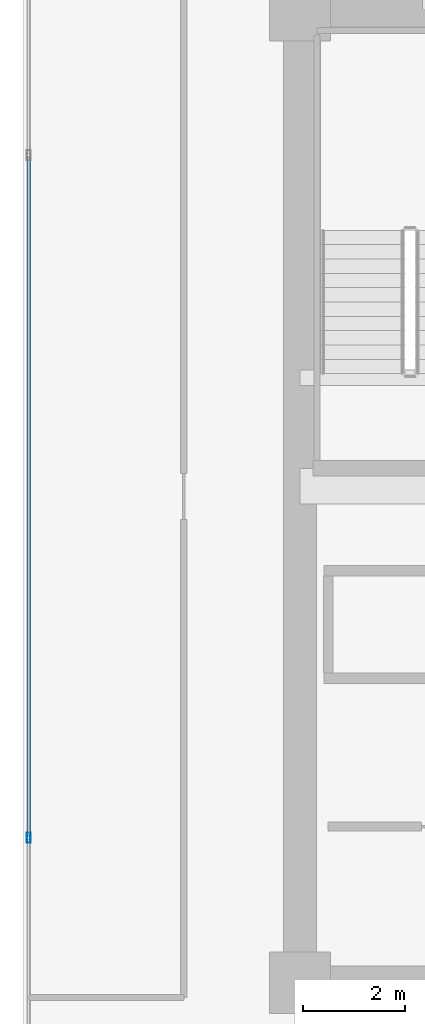
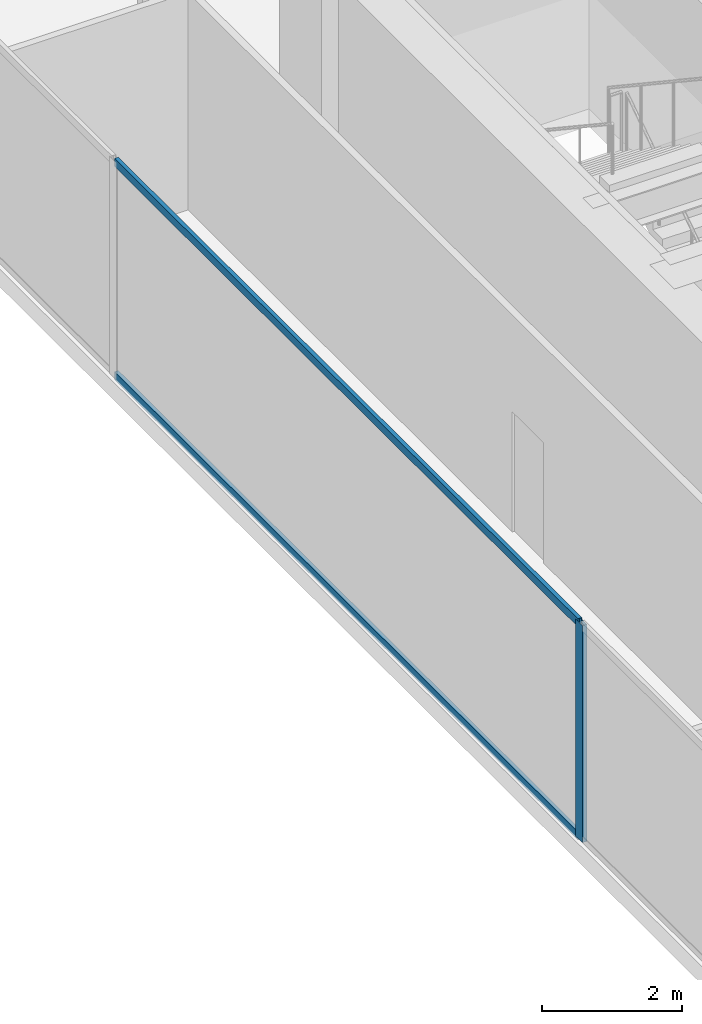
# One storey, part 6 of 30: 3 members, 1 element without a shape of its own.
"""IFC4 building model written with IfcOpenShell, lengths in metres."""

from ifc_helpers import new_model, si_unit, direction, frame, origin, origin_2d, place, context, subcontext, project, spatial, hollow_rectangle, extrude, source, transform, mapped, material, layer, layer_set, material_profile, profile_set, type_object, type_shapes, element, aggregate, save


model = new_model("IFC4")

# Units and contexts
model_context = context("Model", 3, precision=1e-05, world=origin(), true_north=direction((0.0, 1.0)))
body_context = subcontext(model_context, "Body", "Model", "MODEL_VIEW")
ifc_project = project(units=[si_unit("LENGTHUNIT", "METRE"), si_unit("AREAUNIT", "SQUARE_METRE"), si_unit("VOLUMEUNIT", "CUBIC_METRE"), si_unit("PLANEANGLEUNIT", "RADIAN"), si_unit("MASSUNIT", "GRAM", prefix="KILO")], contexts=[model_context])

# Site, building, storey
site_placement = place(None, origin())
site = spatial("IfcSite", under=ifc_project, at=site_placement, CompositionType="ELEMENT")
building_placement = place(site_placement, origin())
building = spatial("IfcBuilding", under=site, at=building_placement, Name="Haelvirn Gate Laboratories", CompositionType="ELEMENT")
storey_placement = place(building_placement, frame((0.0, 0.0, 121.5)))
storey = spatial("IfcBuildingStorey", under=building, at=storey_placement, Name="L29", CompositionType="ELEMENT", Elevation=121.5)

# Curtain wall, members
ifc_material_1 = material(Name="Anodised bronze unitised aluminium & triple low-E glass", Category="aluminium")
ifc_layer = layer(ifc_material_1, 0.179931640625, Name="CW-SYS-3")
ifc_layer_set = layer_set([ifc_layer], Name="Anodised bronze unitised aluminium & triple low-E glass")
curtain_wall_type = type_object("IfcCurtainWallType", Name="CW-SYS-3", PredefinedType="NOTDEFINED", material=ifc_layer_set)
curtain_wall_placement = place(storey_placement, origin())
curtain_wall = element("IfcCurtainWall", 1, at=curtain_wall_placement, inside=storey, type_object=curtain_wall_type, Name="L29 Unitised Curtain Wall CW-L29-P0-E17", PredefinedType="NOTDEFINED")
ifc_material_2 = material(Name="Extruded aluminium 6063-T6 (anodised bronze)", Category="aluminium")
ifc_material_profile_1 = material_profile(ifc_material_2, hollow_rectangle(XDim=0.06494140625, YDim=0.139892578125, WallThickness=0.00390625, at=origin_2d()), Name="CWT-140x65x4")
ifc_profile_set_1 = profile_set([ifc_material_profile_1], Name="Extruded aluminium 6063-T6 (anodised bronze)")
member_type_1 = type_object("IfcMemberType", Name="CWT-T140", PredefinedType="USERDEFINED", material=ifc_profile_set_1)
shared_shape_1 = source(origin(), body_context, "Body", "SweptSolid", [
    extrude(hollow_rectangle(XDim=0.06494140625, YDim=0.139892578125, WallThickness=0.00390625, at=origin_2d()), origin(), (0.0, 0.0, 1.0), 13.25830078125),
])
type_shapes(member_type_1, [shared_shape_1])
member_1_placement = place(storey_placement, frame((2.10009765625, 30.92919921875, 0.032470703125), z_axis=(0.0, -1.0, 0.0), x_axis=(1.0, 0.0, 0.0)))
member_1 = element("IfcMember", 2, at=member_1_placement, type_object=member_type_1, Name="CW3 transom 2.1", ObjectType="TRANSOM", PredefinedType="USERDEFINED", context=body_context, shape_type="MappedRepresentation", body=[
    mapped(shared_shape_1, transform((0.0, 0.0, 0.0), scale=1.0)),
])
member_2_placement = place(storey_placement, frame((2.10009765625, 30.92919921875, 3.757568359375), z_axis=(0.0, -1.0, 0.0), x_axis=(1.0, 0.0, 0.0)))
member_2 = element("IfcMember", 3, at=member_2_placement, type_object=member_type_1, Name="CW3 transom 2.2", ObjectType="TRANSOM", PredefinedType="USERDEFINED", context=body_context, shape_type="MappedRepresentation", body=[
    mapped(shared_shape_1, transform((0.0, 0.0, 0.0), scale=1.0)),
])
ifc_material_profile_2 = material_profile(ifc_material_2, hollow_rectangle(XDim=0.074951171875, YDim=0.199951171875, WallThickness=0.0048828125, at=origin_2d()), Name="CWM-200x75x5")
ifc_profile_set_2 = profile_set([ifc_material_profile_2], Name="Extruded aluminium 6063-T6 (anodised bronze)")
member_type_2 = type_object("IfcMemberType", Name="CWM-T200", PredefinedType="MULLION", material=ifc_profile_set_2)
shared_shape_2 = source(origin(), body_context, "Body", "SweptSolid", [
    extrude(hollow_rectangle(XDim=0.074951171875, YDim=0.199951171875, WallThickness=0.0048828125, at=origin_2d()), origin(), (0.0, 0.0, 1.0), 3.7900390625),
])
type_shapes(member_type_2, [shared_shape_2])
member_3_placement = place(storey_placement, frame((2.10009765625, 17.63330078125, 0.0), z_axis=(0.0, 0.0, 1.0), x_axis=(1.0, 0.0, 0.0)))
member_3 = element("IfcMember", 4, at=member_3_placement, type_object=member_type_2, Name="CW3 mullion 3", PredefinedType="MULLION", context=body_context, shape_type="MappedRepresentation", body=[
    mapped(shared_shape_2, transform((0.0, 0.0, 0.0), scale=1.0)),
])
aggregate(curtain_wall, [member_3, member_1, member_2])

save(model, "model.ifc")
